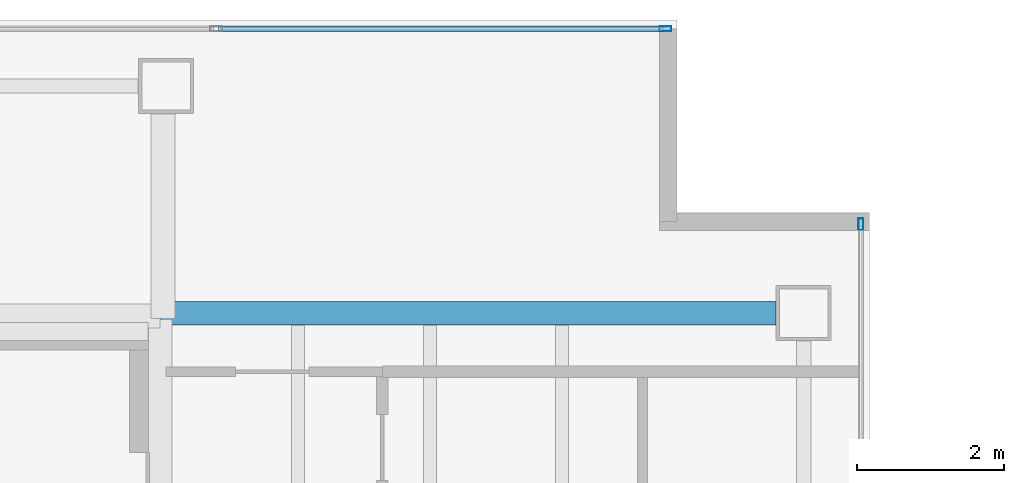
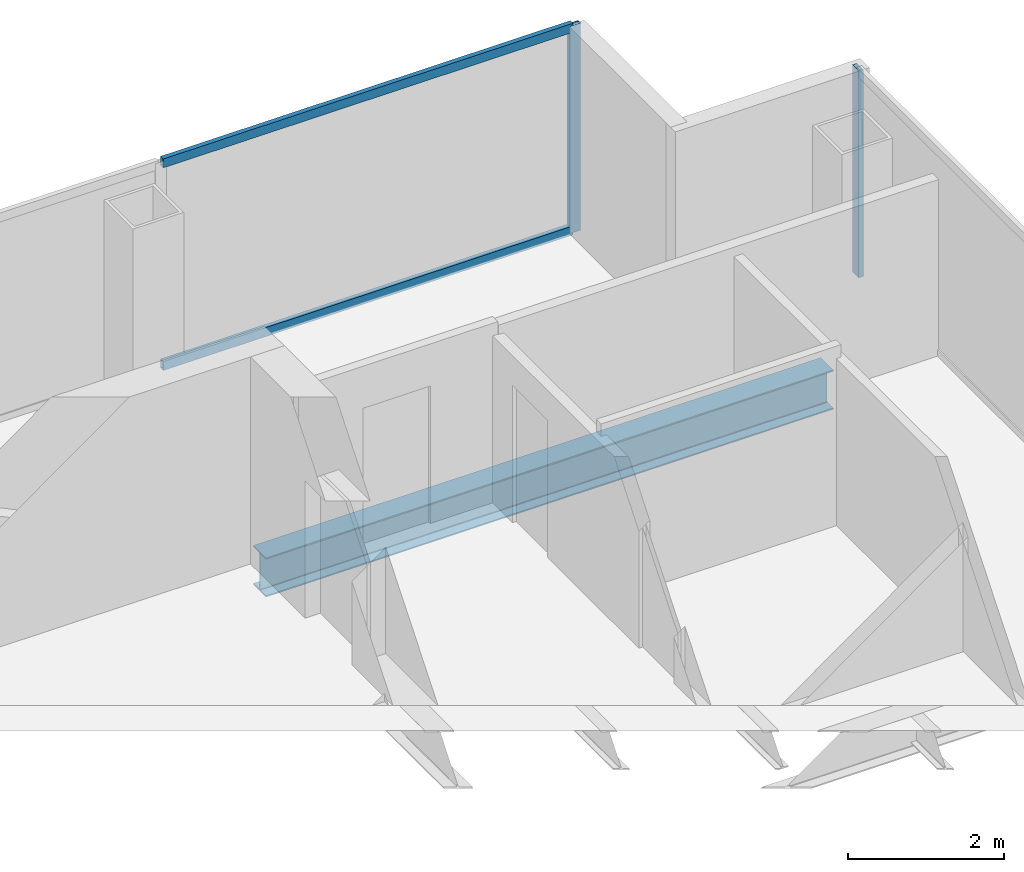
# One storey, part 18 of 23: 4 members, 1 beam, 2 elements without a shape of their own.
"""IFC4 building model written with IfcOpenShell, lengths in metres."""

from ifc_helpers import new_model, si_unit, direction, frame, origin, origin_2d, place, context, subcontext, project, spatial, hollow_rectangle, i_section, extrude, material, material_profile, profile_set, type_object, element, aggregate, save


model = new_model("IFC4")

# Units and contexts
model_context = context("Model", 3, precision=1e-05, world=origin(), true_north=direction((0.0, 1.0)))
body_context = subcontext(model_context, "Body", "Model", "MODEL_VIEW")
ifc_project = project(units=[si_unit("LENGTHUNIT", "METRE"), si_unit("AREAUNIT", "SQUARE_METRE"), si_unit("VOLUMEUNIT", "CUBIC_METRE"), si_unit("PLANEANGLEUNIT", "RADIAN"), si_unit("MASSUNIT", "GRAM", prefix="KILO")], contexts=[model_context])

# Site, building, storey
site_placement = place(None, origin())
site = spatial("IfcSite", under=ifc_project, at=site_placement, CompositionType="ELEMENT")
building_placement = place(site_placement, origin())
building = spatial("IfcBuilding", under=site, at=building_placement, Name="Cobrela Telecom Tower", CompositionType="ELEMENT")
storey_placement = place(building_placement, frame((0.0, 0.0, 211.75)))
storey = spatial("IfcBuildingStorey", under=building, at=storey_placement, Name="L54", CompositionType="ELEMENT", Elevation=211.75)

# Beam
ifc_material_1 = material(Name="Steel ASTM A992 Grade 50", Category="steel")
ifc_material_profile_1 = material_profile(ifc_material_1, i_section(OverallWidth=0.324951171875, OverallDepth=0.612060546875, WebThickness=0.0126953125, FlangeThickness=0.01904296875, FilletRadius=0.014892578125, at=origin_2d()), Name="W24X104")
ifc_profile_set_1 = profile_set([ifc_material_profile_1], Name="Steel ASTM A992 Grade 50")
beam_type = type_object("IfcBeamType", Name="BM-GIRD-07", PredefinedType="USERDEFINED", material=ifc_profile_set_1)
beam_placement = place(storey_placement, frame((14.324951171875, 36.0, -0.56591796875), z_axis=(1.0, 0.0, 0.0), x_axis=(0.0, 1.0, 0.0)))
element("IfcBeam", 1, at=beam_placement, inside=storey, type_object=beam_type, Name="L54 Primary Girder X22", ObjectType="GIRDER", PredefinedType="USERDEFINED", context=body_context, shape_type="SweptSolid", body=[
    extrude(i_section(OverallWidth=0.324951171875, OverallDepth=0.612060546875, WebThickness=0.0126953125, FlangeThickness=0.01904296875, FilletRadius=0.014892578125, at=origin_2d()), origin(), (0.0, 0.0, 1.0), 8.39501953125),
])

# Curtain wall, member
ifc_material_2 = material(Name="Anodized Bronze Aluminium 6063-T6", Category="aluminium")
curtain_wall_type = type_object("IfcCurtainWallType", Name="CW-SYS-OFF-LO", PredefinedType="USERDEFINED", material=ifc_material_2)
curtain_wall_1_placement = place(storey_placement, origin())
curtain_wall_1 = element("IfcCurtainWall", 2, at=curtain_wall_1_placement, inside=storey, type_object=curtain_wall_type, Name="L54 Unitised Bronze Curtain Wall 07", ObjectType="UNITISED CURTAIN WALL", PredefinedType="USERDEFINED")
ifc_material_profile_2 = material_profile(ifc_material_2, hollow_rectangle(XDim=0.070068359375, YDim=0.159912109375, WallThickness=0.00390625, at=origin_2d()), Name="ALU 70x160x4")
ifc_profile_set_2 = profile_set([ifc_material_profile_2], Name="Anodized Bronze Aluminium 6063-T6")
member_type_1 = type_object("IfcMemberType", Name="CW-SYS-OFF-LO-MUL", PredefinedType="MULLION", material=ifc_profile_set_2)
member_1_placement = place(storey_placement, frame((21.215087890625, 39.8798828125, 0.0), z_axis=(0.0, 0.0, 1.0), x_axis=(0.0, 1.0, 0.0)))
member_1 = element("IfcMember", 3, at=member_1_placement, type_object=member_type_1, Name="CW-OFF-LO mullion 4", PredefinedType="MULLION", context=body_context, shape_type="SweptSolid", body=[
    extrude(hollow_rectangle(XDim=0.070068359375, YDim=0.159912109375, WallThickness=0.00390625, at=origin_2d()), origin(), (0.0, 0.0, 1.0), 3.239990234375),
])

curtain_wall_2_placement = place(storey_placement, origin())
curtain_wall_2 = element("IfcCurtainWall", 4, at=curtain_wall_2_placement, inside=storey, type_object=curtain_wall_type, Name="L54 Unitised Bronze Curtain Wall 10", ObjectType="UNITISED CURTAIN WALL", PredefinedType="USERDEFINED")
member_2_placement = place(storey_placement, frame((23.8798828125, 37.215087890625, 0.0), z_axis=(0.0, 0.0, 1.0), x_axis=(1.0, 0.0, 0.0)))
member_2 = element("IfcMember", 5, at=member_2_placement, type_object=member_type_1, Name="CW-OFF-LO mullion 1", PredefinedType="MULLION", context=body_context, shape_type="SweptSolid", body=[
    extrude(hollow_rectangle(XDim=0.070068359375, YDim=0.159912109375, WallThickness=0.00390625, at=origin_2d()), origin(), (0.0, 0.0, 1.0), 3.239990234375),
])
aggregate(curtain_wall_2, [member_2])

# Member
ifc_material_profile_3 = material_profile(ifc_material_2, hollow_rectangle(XDim=0.070068359375, YDim=0.139892578125, WallThickness=0.00390625, at=origin_2d()), Name="ALU 70x140x4")
ifc_profile_set_3 = profile_set([ifc_material_profile_3], Name="Anodized Bronze Aluminium 6063-T6")
member_type_2 = type_object("IfcMemberType", Name="CW-SYS-OFF-LO-TRN", PredefinedType="USERDEFINED", material=ifc_profile_set_3)
member_3_placement = place(storey_placement, frame((15.118408203125, 39.8798828125, 0.034912109375), z_axis=(1.0, 0.0, 0.0), x_axis=(0.0, 1.0, 0.0)))
member_3 = element("IfcMember", 6, at=member_3_placement, type_object=member_type_2, Name="CW-OFF-LO transom 3.1", ObjectType="TRANSOM", PredefinedType="USERDEFINED", context=body_context, shape_type="SweptSolid", body=[
    extrude(hollow_rectangle(XDim=0.070068359375, YDim=0.139892578125, WallThickness=0.00390625, at=origin_2d()), origin(), (0.0, 0.0, 1.0), 6.0615234375),
])

member_4_placement = place(storey_placement, frame((15.118408203125, 39.8798828125, 3.205078125), z_axis=(1.0, 0.0, 0.0), x_axis=(0.0, 1.0, 0.0)))
member_4 = element("IfcMember", 7, at=member_4_placement, type_object=member_type_2, Name="CW-OFF-LO transom 3.2", ObjectType="TRANSOM", PredefinedType="USERDEFINED", context=body_context, shape_type="SweptSolid", body=[
    extrude(hollow_rectangle(XDim=0.070068359375, YDim=0.139892578125, WallThickness=0.00390625, at=origin_2d()), origin(), (0.0, 0.0, 1.0), 6.0615234375),
])

aggregate(curtain_wall_1, [member_1, member_3, member_4])

save(model, "model.ifc")
